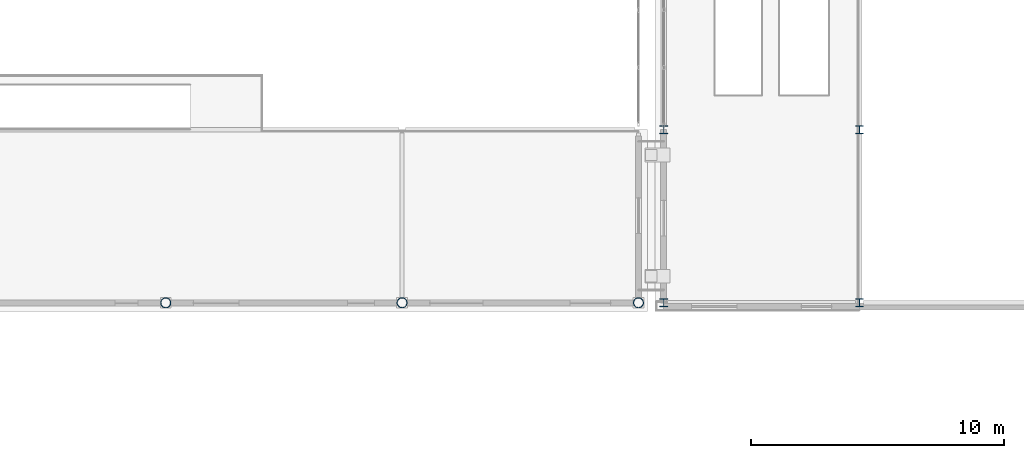
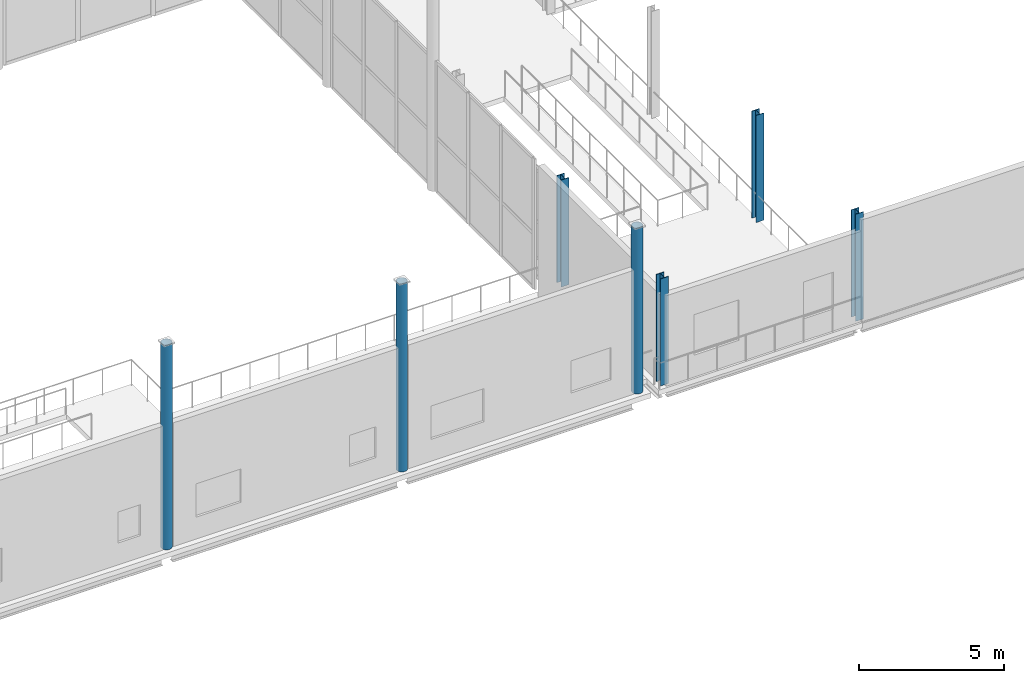
# One storey, part 7 of 77: 7 columns.
"""IFC4 building model written with IfcOpenShell, lengths in metres."""

from ifc_helpers import new_model, si_unit, direction, frame, origin, origin_2d, place, context, subcontext, project, spatial, hollow_circle, i_section, extrude, material, material_profile, profile_set, type_object, element, save


model = new_model("IFC4")

# Units and contexts
model_context = context("Model", 3, precision=1e-05, world=origin(), true_north=direction((0.0, 1.0)))
body_context = subcontext(model_context, "Body", "Model", "MODEL_VIEW")
ifc_project = project(units=[si_unit("LENGTHUNIT", "METRE"), si_unit("AREAUNIT", "SQUARE_METRE"), si_unit("VOLUMEUNIT", "CUBIC_METRE"), si_unit("PLANEANGLEUNIT", "RADIAN"), si_unit("MASSUNIT", "GRAM", prefix="KILO")], contexts=[model_context])

# Site, building, storey
site_placement = place(None, origin())
site = spatial("IfcSite", under=ifc_project, at=site_placement, CompositionType="ELEMENT")
building_placement = place(site_placement, origin())
building = spatial("IfcBuilding", under=site, at=building_placement, Name="Quillay Park Conservatory", CompositionType="ELEMENT")
storey_placement = place(building_placement, frame((0.0, 0.0, 5.39990234375)))
storey = spatial("IfcBuildingStorey", under=building, at=storey_placement, Name="L01", CompositionType="ELEMENT", Elevation=5.39990234375)

# Columns
ifc_material_1 = material(Name="Steel S355J2H", Category="steel")
ifc_material_profile_1 = material_profile(ifc_material_1, hollow_circle(Radius=0.203125, WallThickness=0.01611328125, at=origin_2d()), Name="CHS406.4x16")
ifc_profile_set_1 = profile_set([ifc_material_profile_1], Name="Steel S355J2H")
column_type_1 = type_object("IfcColumnType", Name="COMPOSITE STEEL COLUMN CHS406", PredefinedType="COLUMN", material=ifc_profile_set_1)
column_1_placement = place(storey_placement, frame((96.138916015625, 85.550048828125, 0.0), z_axis=(0.0, 0.0, 1.0), x_axis=(1.0, 0.0, 0.0)))
element("IfcColumn", 1, at=column_1_placement, inside=storey, type_object=column_type_1, Name="L01 column COL-V1-L01-7-0", PredefinedType="COLUMN", context=body_context, shape_type="SweptSolid", body=[
    extrude(hollow_circle(Radius=0.203125, WallThickness=0.01611328125, at=origin_2d()), origin(), (0.0, 0.0, 1.0), 8.598876953125),
])
column_2_placement = place(storey_placement, frame((105.494384765625, 85.550048828125, 0.0), z_axis=(0.0, 0.0, 1.0), x_axis=(1.0, 0.0, 0.0)))
element("IfcColumn", 2, at=column_2_placement, inside=storey, type_object=column_type_1, Name="L01 column COL-V1-L01-8-0", PredefinedType="COLUMN", context=body_context, shape_type="SweptSolid", body=[
    extrude(hollow_circle(Radius=0.203125, WallThickness=0.01611328125, at=origin_2d()), origin(), (0.0, 0.0, 1.0), 7.899658203125),
])
column_3_placement = place(storey_placement, frame((114.85009765625, 85.550048828125, 0.0), z_axis=(0.0, 0.0, 1.0), x_axis=(1.0, 0.0, 0.0)))
element("IfcColumn", 3, at=column_3_placement, inside=storey, type_object=column_type_1, Name="L01 column COL-V1-L01-9-0", PredefinedType="COLUMN", context=body_context, shape_type="SweptSolid", body=[
    extrude(hollow_circle(Radius=0.203125, WallThickness=0.01611328125, at=origin_2d()), origin(), (0.0, 0.0, 1.0), 6.966064453125),
])
ifc_material_2 = material(Name="Steel ASTM A992 Grade 50", Category="steel")
ifc_material_profile_2 = material_profile(ifc_material_2, i_section(OverallWidth=0.30908203125, OverallDepth=0.322998046875, WebThickness=0.013916015625, FlangeThickness=0.02294921875, FilletRadius=0.014892578125, at=origin_2d()), Name="W310x143")
ifc_profile_set_2 = profile_set([ifc_material_profile_2], Name="Steel ASTM A992 Grade 50")
column_type_2 = type_object("IfcColumnType", Name="COMPOSITE STEEL COLUMN W310 X143", PredefinedType="COLUMN", material=ifc_profile_set_2)
for number, where, z_axis, x_axis, name in (
    (4, (115.85009765625, 85.550048828125, 0.0), (0.0, 0.0, 1.0), (1.0, 0.0, 0.0), "L01 column COL-V2-L01-0-0"),
    (5, (115.85009765625, 92.39990234375, 0.0), (0.0, 0.0, 1.0), (1.0, 0.0, 0.0), "L01 column COL-V2-L01-0-1"),
    (6, (123.60009765625, 85.550048828125, 0.0), (0.0, 0.0, 1.0), (1.0, 0.0, 0.0), "L01 column COL-V2-L01-1-0"),
    (7, (123.60009765625, 92.39990234375, 0.0), (0.0, 0.0, 1.0), (1.0, 0.0, 0.0), "L01 column COL-V2-L01-1-1"),
):
    element("IfcColumn", number, at=place(storey_placement, frame(where, z_axis=z_axis, x_axis=x_axis)), inside=storey, type_object=column_type_2, Name=name, PredefinedType="COLUMN", context=body_context, shape_type="SweptSolid", body=[
        extrude(i_section(OverallWidth=0.30908203125, OverallDepth=0.322998046875, WebThickness=0.013916015625, FlangeThickness=0.02294921875, FilletRadius=0.014892578125, at=origin_2d()), origin(), (0.0, 0.0, 1.0), 4.5),
    ])

save(model, "model.ifc")
